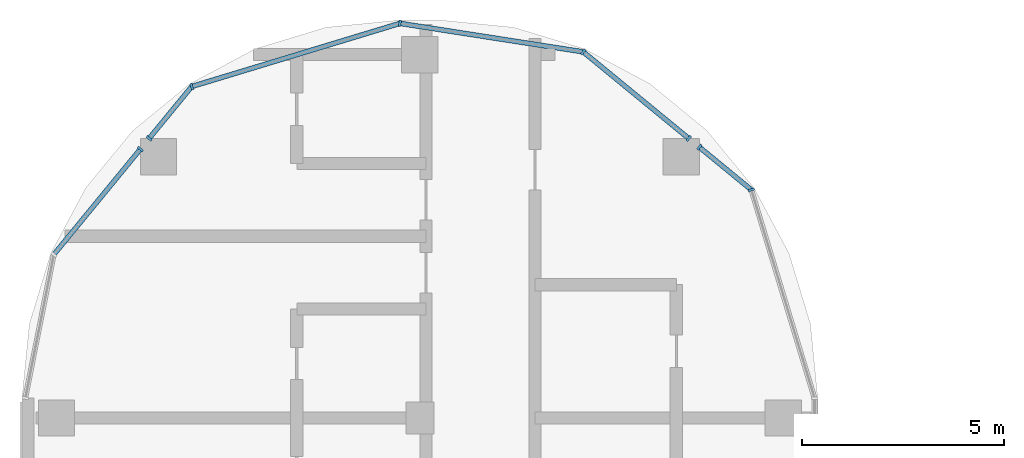
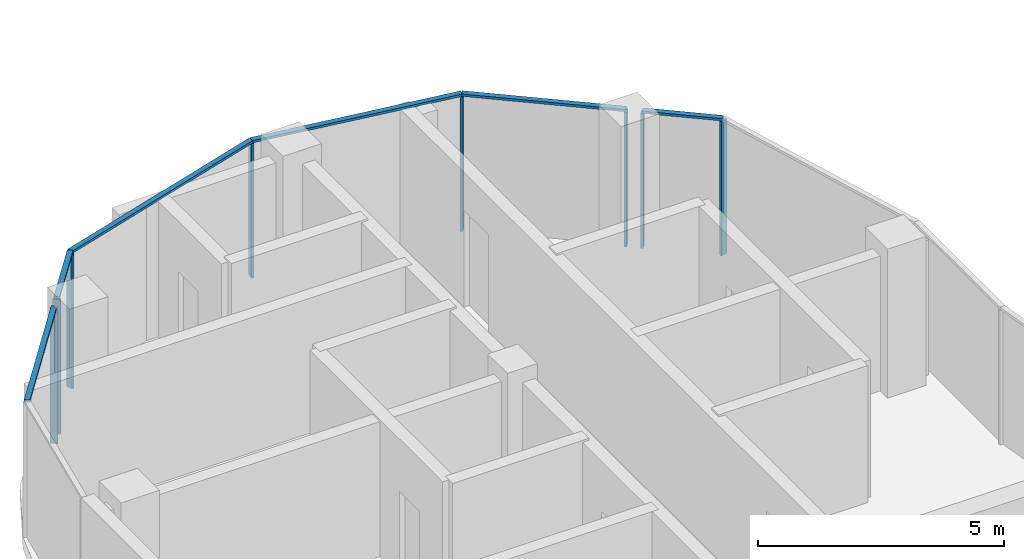
# One storey, part 6 of 20: 14 members, 3 elements without a shape of their own.
"""IFC4 building model written with IfcOpenShell, lengths in metres."""

from ifc_helpers import new_model, si_unit, direction, frame, origin, origin_2d, place, context, subcontext, project, spatial, rectangle, extrude, material, material_profile, profile_set, type_object, element, aggregate, save


model = new_model("IFC4")

# Units and contexts
model_context = context("Model", 3, precision=1e-05, world=origin(), true_north=direction((0.0, 1.0)))
body_context = subcontext(model_context, "Body", "Model", "MODEL_VIEW")
ifc_project = project(units=[si_unit("LENGTHUNIT", "METRE"), si_unit("AREAUNIT", "SQUARE_METRE"), si_unit("VOLUMEUNIT", "CUBIC_METRE"), si_unit("PLANEANGLEUNIT", "RADIAN"), si_unit("MASSUNIT", "GRAM", prefix="KILO")], contexts=[model_context])

# Site, building, storey
site_placement = place(None, origin())
site = spatial("IfcSite", under=ifc_project, at=site_placement, CompositionType="ELEMENT")
building_placement = place(site_placement, origin())
building = spatial("IfcBuilding", under=site, at=building_placement, Name="Ogive Portal Towers", CompositionType="ELEMENT")
storey_placement = place(building_placement, frame((0.0, 0.0, 210.60009765625)))
storey = spatial("IfcBuildingStorey", under=building, at=storey_placement, Name="L52", CompositionType="ELEMENT", Elevation=210.60009765625)

# Curtain wall, members
ifc_material_1 = material(Name="Glass, clear low-iron insulated glazing", Category="glass")
curtain_wall_type = type_object("IfcCurtainWallType", Name="CW FRONT RIBBON 4500", PredefinedType="NOTDEFINED", material=ifc_material_1)
curtain_wall_1_placement = place(storey_placement, origin())
curtain_wall_1 = element("IfcCurtainWall", 1, at=curtain_wall_1_placement, inside=storey, type_object=curtain_wall_type, Name="A:L52:f18:cwa~0", PredefinedType="NOTDEFINED")
ifc_material_2 = material(Name="Aluminium 6063 anodised", Category="aluminium")
ifc_material_profile_1 = material_profile(ifc_material_2, rectangle(XDim=0.159912109375, YDim=0.06005859375, at=origin_2d()), Name="AL 60x160")
ifc_profile_set_1 = profile_set([ifc_material_profile_1], Name="Aluminium 6063 anodised")
member_type_1 = type_object("IfcMemberType", Name="CW MULLION 60x160", PredefinedType="MULLION", material=ifc_profile_set_1)
member_1_placement = place(storey_placement, frame((48.708984375, 54.15087890625, 0.0), z_axis=(0.0, 0.0, 1.0), x_axis=(-0.956940335732, -0.290284677254, 0.0)))
member_1 = element("IfcMember", 2, at=member_1_placement, type_object=member_type_1, Name="mullion", PredefinedType="MULLION", context=body_context, shape_type="SweptSolid", body=[
    extrude(rectangle(XDim=0.159912109375, YDim=0.06005859375, at=origin_2d()), origin(), (0.0, 0.0, 1.0), 3.33984375),
])
member_2_placement = place(storey_placement, frame((47.423095703125, 55.206298828125, 0.0), z_axis=(0.0, 0.0, 1.0), x_axis=(-0.634393284164, -0.773010453363, 0.0)))
member_2 = element("IfcMember", 3, at=member_2_placement, type_object=member_type_1, Name="mullion", PredefinedType="MULLION", context=body_context, shape_type="SweptSolid", body=[
    extrude(rectangle(XDim=0.159912109375, YDim=0.06005859375, at=origin_2d()), origin(), (0.0, 0.0, 1.0), 3.33984375),
])

curtain_wall_2_placement = place(storey_placement, origin())
curtain_wall_2 = element("IfcCurtainWall", 4, at=curtain_wall_2_placement, inside=storey, type_object=curtain_wall_type, Name="A:L52:f18:cwa~1", PredefinedType="NOTDEFINED")
member_3_placement = place(storey_placement, frame((47.158935546875, 55.423095703125, 0.0), z_axis=(0.0, 0.0, 1.0), x_axis=(-0.634393284164, -0.773010453363, 0.0)))
member_3 = element("IfcMember", 5, at=member_3_placement, type_object=member_type_1, Name="mullion", PredefinedType="MULLION", context=body_context, shape_type="SweptSolid", body=[
    extrude(rectangle(XDim=0.159912109375, YDim=0.06005859375, at=origin_2d()), origin(), (0.0, 0.0, 1.0), 3.33984375),
])
member_4_placement = place(storey_placement, frame((44.546142578125, 57.567138671875, 0.0), z_axis=(0.0, 0.0, 1.0), x_axis=(-0.634393284164, -0.773010453363, 0.0)))
member_4 = element("IfcMember", 6, at=member_4_placement, type_object=member_type_1, Name="mullion", PredefinedType="MULLION", context=body_context, shape_type="SweptSolid", body=[
    extrude(rectangle(XDim=0.159912109375, YDim=0.06005859375, at=origin_2d()), origin(), (0.0, 0.0, 1.0), 3.33984375),
])
member_5_placement = place(storey_placement, frame((40.005859375, 58.273193359375, 0.0), z_axis=(0.0, 0.0, 1.0), x_axis=(-0.153635802256, -0.988127542509, 0.0)))
member_5 = element("IfcMember", 7, at=member_5_placement, type_object=member_type_1, Name="mullion", PredefinedType="MULLION", context=body_context, shape_type="SweptSolid", body=[
    extrude(rectangle(XDim=0.159912109375, YDim=0.06005859375, at=origin_2d()), origin(), (0.0, 0.0, 1.0), 3.33984375),
])
member_6_placement = place(storey_placement, frame((34.84912109375, 56.708984375, 0.0), z_axis=(0.0, 0.0, 1.0), x_axis=(0.290284677254, -0.956940335732, 0.0)))
member_6 = element("IfcMember", 8, at=member_6_placement, type_object=member_type_1, Name="mullion", PredefinedType="MULLION", context=body_context, shape_type="SweptSolid", body=[
    extrude(rectangle(XDim=0.159912109375, YDim=0.06005859375, at=origin_2d()), origin(), (0.0, 0.0, 1.0), 3.33984375),
])
member_7_placement = place(storey_placement, frame((33.793701171875, 55.423095703125, 0.0), z_axis=(0.0, 0.0, 1.0), x_axis=(0.773010453363, -0.634393284164, 0.0)))
member_7 = element("IfcMember", 9, at=member_7_placement, type_object=member_type_1, Name="mullion", PredefinedType="MULLION", context=body_context, shape_type="SweptSolid", body=[
    extrude(rectangle(XDim=0.159912109375, YDim=0.06005859375, at=origin_2d()), origin(), (0.0, 0.0, 1.0), 3.33984375),
])

# Curtain wall, member
curtain_wall_3_placement = place(storey_placement, origin())
curtain_wall_3 = element("IfcCurtainWall", 10, at=curtain_wall_3_placement, inside=storey, type_object=curtain_wall_type, Name="A:L52:f18:cwa~2", PredefinedType="NOTDEFINED")
member_8_placement = place(storey_placement, frame((33.576904296875, 55.158935546875, 0.0), z_axis=(0.0, 0.0, 1.0), x_axis=(0.773010453363, -0.634393284164, 0.0)))
member_8 = element("IfcMember", 11, at=member_8_placement, type_object=member_type_1, Name="mullion", PredefinedType="MULLION", context=body_context, shape_type="SweptSolid", body=[
    extrude(rectangle(XDim=0.159912109375, YDim=0.06005859375, at=origin_2d()), origin(), (0.0, 0.0, 1.0), 3.33984375),
])

# Member
ifc_material_profile_2 = material_profile(ifc_material_2, rectangle(XDim=0.1201171875, YDim=0.06005859375, at=origin_2d()), Name="AL 120x60")
ifc_profile_set_2 = profile_set([ifc_material_profile_2], Name="Aluminium 6063 anodised")
member_type_2 = type_object("IfcMemberType", Name="CW TRANSOM 60x120", PredefinedType="USERDEFINED", material=ifc_profile_set_2)
member_9_placement = place(storey_placement, frame((48.708984375, 54.15087890625, 3.369873046875), z_axis=(-0.772975560922, 0.634435798342, 0.0), x_axis=(-0.634435798342, -0.772975560922, 0.0)))
member_9 = element("IfcMember", 12, at=member_9_placement, type_object=member_type_2, Name="transom", ObjectType="TRANSOM", PredefinedType="USERDEFINED", context=body_context, shape_type="SweptSolid", body=[
    extrude(rectangle(XDim=0.1201171875, YDim=0.06005859375, at=origin_2d()), origin(), (0.0, 0.0, 1.0), 1.66357421875),
])

aggregate(curtain_wall_1, [member_9, member_1, member_2])

member_10_placement = place(storey_placement, frame((47.158935546875, 55.423095703125, 3.369873046875), z_axis=(-0.773042489408, 0.63435424612, 0.0), x_axis=(-0.63435424612, -0.773042489408, 0.0)))
member_10 = element("IfcMember", 13, at=member_10_placement, type_object=member_type_2, Name="transom", ObjectType="TRANSOM", PredefinedType="USERDEFINED", context=body_context, shape_type="SweptSolid", body=[
    extrude(rectangle(XDim=0.1201171875, YDim=0.06005859375, at=origin_2d()), origin(), (0.0, 0.0, 1.0), 3.3798828125),
])

member_11_placement = place(storey_placement, frame((44.546142578125, 57.567138671875, 3.369873046875), z_axis=(-0.988123461877, 0.153662045047, 0.0), x_axis=(-0.153662045047, -0.988123461877, 0.0)))
member_11 = element("IfcMember", 14, at=member_11_placement, type_object=member_type_2, Name="transom", ObjectType="TRANSOM", PredefinedType="USERDEFINED", context=body_context, shape_type="SweptSolid", body=[
    extrude(rectangle(XDim=0.1201171875, YDim=0.06005859375, at=origin_2d()), origin(), (0.0, 0.0, 1.0), 4.594970703125),
])

member_12_placement = place(storey_placement, frame((40.005859375, 58.273193359375, 3.369873046875), z_axis=(-0.956943968392, -0.290272701709, 0.0), x_axis=(0.290272701709, -0.956943968392, 0.0)))
member_12 = element("IfcMember", 15, at=member_12_placement, type_object=member_type_2, Name="transom", ObjectType="TRANSOM", PredefinedType="USERDEFINED", context=body_context, shape_type="SweptSolid", body=[
    extrude(rectangle(XDim=0.1201171875, YDim=0.06005859375, at=origin_2d()), origin(), (0.0, 0.0, 1.0), 5.388671875),
])

member_13_placement = place(storey_placement, frame((34.84912109375, 56.708984375, 3.369873046875), z_axis=(-0.634435798342, -0.772975560922, 0.0), x_axis=(0.772975560922, -0.634435798342, 0.0)))
member_13 = element("IfcMember", 16, at=member_13_placement, type_object=member_type_2, Name="transom", ObjectType="TRANSOM", PredefinedType="USERDEFINED", context=body_context, shape_type="SweptSolid", body=[
    extrude(rectangle(XDim=0.1201171875, YDim=0.06005859375, at=origin_2d()), origin(), (0.0, 0.0, 1.0), 1.66357421875),
])

aggregate(curtain_wall_2, [member_10, member_11, member_12, member_13, member_3, member_4, member_5, member_6, member_7])

member_14_placement = place(storey_placement, frame((33.576904296875, 55.158935546875, 3.369873046875), z_axis=(-0.634357543643, -0.773039783467, 0.0), x_axis=(0.773039783467, -0.634357543643, 0.0)))
member_14 = element("IfcMember", 17, at=member_14_placement, type_object=member_type_2, Name="transom", ObjectType="TRANSOM", PredefinedType="USERDEFINED", context=body_context, shape_type="SweptSolid", body=[
    extrude(rectangle(XDim=0.1201171875, YDim=0.06005859375, at=origin_2d()), origin(), (0.0, 0.0, 1.0), 3.3818359375),
])

aggregate(curtain_wall_3, [member_14, member_8])

save(model, "model.ifc")
